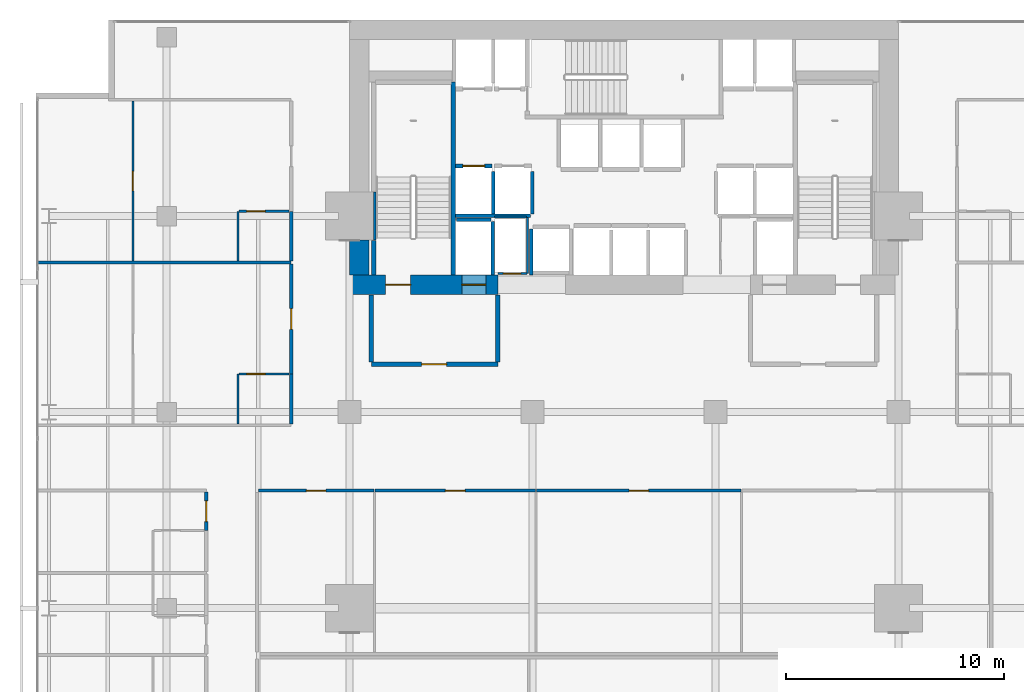
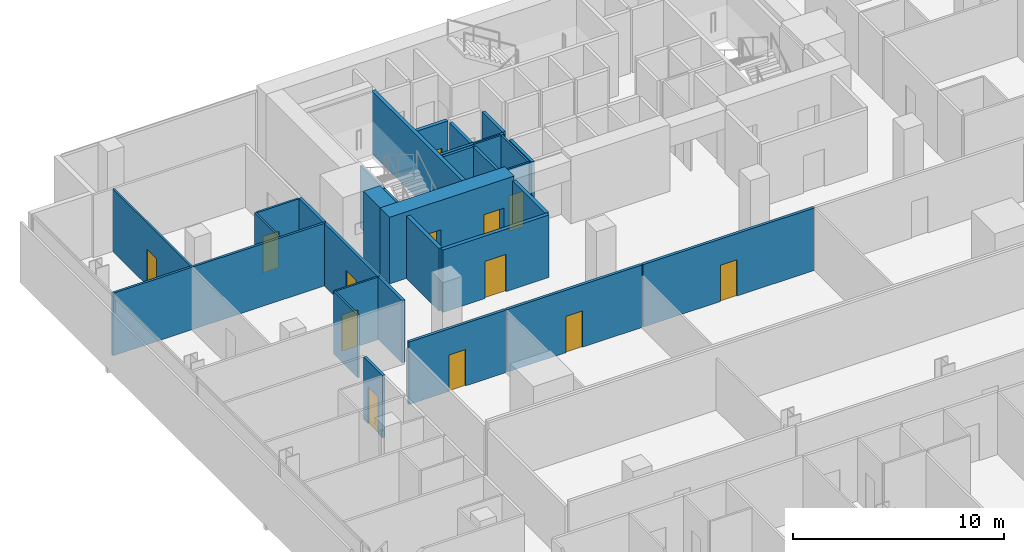
# One storey, part 35 of 40: 31 walls, 13 doors, 13 openings.
"""IFC4 building model written with IfcOpenShell, lengths in metres."""

from ifc_helpers import new_model, si_unit, direction, frame, frame_2d, origin, place, context, subcontext, project, spatial, rectangle, extrude, material, layer, layer_set, type_object, element, fill, save


model = new_model("IFC4")

# Units and contexts
model_context = context("Model", 3, precision=1e-05, world=origin(), true_north=direction((0.0, 1.0)))
body_context = subcontext(model_context, "Body", "Model", "MODEL_VIEW")
ifc_project = project(units=[si_unit("LENGTHUNIT", "METRE"), si_unit("AREAUNIT", "SQUARE_METRE"), si_unit("VOLUMEUNIT", "CUBIC_METRE"), si_unit("PLANEANGLEUNIT", "RADIAN"), si_unit("MASSUNIT", "GRAM", prefix="KILO")], contexts=[model_context])

# Site, building, storey
site_placement = place(None, origin())
site = spatial("IfcSite", under=ifc_project, at=site_placement, CompositionType="ELEMENT")
building_placement = place(site_placement, origin())
building = spatial("IfcBuilding", under=site, at=building_placement, Name="Maruvema Waterfront Hotel and Observation Tower", CompositionType="ELEMENT")
storey_placement = place(building_placement, frame((0.0, 0.0, 103.949951171875)))
storey = spatial("IfcBuildingStorey", under=building, at=storey_placement, Name="L25", CompositionType="ELEMENT", Elevation=103.949951171875)

# Wall, opening, door
ifc_material_1 = material(Name="Twin-stud acoustic gypsum drywall", Category="gypsum")
ifc_layer_1 = layer(ifc_material_1, 0.14990234375, Name="Acoustic Corridor and Suite Demising Wall 150 mm")
ifc_layer_set_1 = layer_set([ifc_layer_1], Name="Twin-stud acoustic gypsum drywall")
wall_type_1 = type_object("IfcWallType", Name="Acoustic Corridor and Suite Demising Wall 150 mm", PredefinedType="PARTITIONING", material=ifc_layer_set_1)
wall_1_placement = place(storey_placement, frame((21.010009765625, 32.39990234375, 0.0), z_axis=(0.0, 0.0, 1.0), x_axis=(1.0, 0.0, 0.0)))
wall_1 = element("IfcWall", 1, at=wall_1_placement, inside=storey, type_object=wall_type_1, Name="L25 L25-INTN Front 1 015", PredefinedType="PARTITIONING", context=body_context, shape_type="SweptSolid", body=[
    extrude(rectangle(XDim=5.302001953125, YDim=0.14990234375, at=frame_2d((2.65087890625, 0.0))), origin(), (0.0, 0.0, 1.0), 3.610107421875),
])
opening_1_placement = place(wall_1_placement, frame((2.200927734375, 0.0, 0.0)))
opening_1 = element("IfcOpeningElement", 2, at=opening_1_placement, cuts=wall_1, Name="Opening DR-090", PredefinedType="OPENING", context=body_context, shape_type="SweptSolid", body=[
    extrude(rectangle(XDim=0.89990234375, YDim=2.10009765625, at=frame_2d((0.449951171875, 1.050048828125))), frame((0.0, 0.0849609375, 0.0), z_axis=(0.0, -1.0, 0.0), x_axis=(1.0, 0.0, 0.0)), (0.0, 0.0, 1.0), 0.169921875),
])
ifc_material_2 = material(Name="Solid-core lacquered timber leaf", Category="wood")
door_type_1 = type_object("IfcDoorType", Name="Accessible Toilet and Room Door 900x2100 mm", OperationType="NOTDEFINED", PredefinedType="DOOR", material=ifc_material_2)
door_1_placement = place(opening_1_placement, origin())
door_1 = element("IfcDoor", 3, at=door_1_placement, inside=storey, type_object=door_type_1, Name="L25 Boardroom Salon Door", OperationType="SINGLE_SWING_RIGHT", OverallHeight=2.10009765625, OverallWidth=0.89990234375, PredefinedType="DOOR", context=body_context, shape_type="SweptSolid", body=[
    extrude(rectangle(XDim=0.89990234375, YDim=2.10009765625, at=frame_2d((0.449951171875, 1.050048828125))), frame((0.0, 0.02490234375, 0.0), z_axis=(0.0, -1.0, 0.0), x_axis=(1.0, 0.0, 0.0)), (0.0, 0.0, 1.0), 0.050048828125),
])
fill(opening_1, door_1)

wall_2_placement = place(storey_placement, frame((26.3720703125, 32.39990234375, 0.0), z_axis=(0.0, 0.0, 1.0), x_axis=(1.0, 0.0, 0.0)))
wall_2 = element("IfcWall", 4, at=wall_2_placement, inside=storey, type_object=wall_type_1, Name="L25 L25-INTN Front 2 017", PredefinedType="PARTITIONING", context=body_context, shape_type="SweptSolid", body=[
    extrude(rectangle(XDim=7.35400390625, YDim=0.14990234375, at=frame_2d((3.677001953125, 0.0))), origin(), (0.0, 0.0, 1.0), 3.610107421875),
])
opening_2_placement = place(wall_2_placement, frame((3.22705078125, 0.0, 0.0)))
opening_2 = element("IfcOpeningElement", 5, at=opening_2_placement, cuts=wall_2, Name="Opening DR-090", PredefinedType="OPENING", context=body_context, shape_type="SweptSolid", body=[
    extrude(rectangle(XDim=0.89990234375, YDim=2.10009765625, at=frame_2d((0.449951171875, 1.050048828125))), frame((0.0, 0.0849609375, 0.0), z_axis=(0.0, -1.0, 0.0), x_axis=(1.0, 0.0, 0.0)), (0.0, 0.0, 1.0), 0.169921875),
])
door_2_placement = place(opening_2_placement, origin())
door_2 = element("IfcDoor", 6, at=door_2_placement, inside=storey, type_object=door_type_1, Name="L25 Chef Pantry Kitchen 1 Door", OperationType="SINGLE_SWING_LEFT", OverallHeight=2.10009765625, OverallWidth=0.89990234375, PredefinedType="DOOR", context=body_context, shape_type="SweptSolid", body=[
    extrude(rectangle(XDim=0.89990234375, YDim=2.10009765625, at=frame_2d((0.449951171875, 1.050048828125))), frame((0.0, 0.02490234375, 0.0), z_axis=(0.0, -1.0, 0.0), x_axis=(1.0, 0.0, 0.0)), (0.0, 0.0, 1.0), 0.050048828125),
])
fill(opening_2, door_2)

wall_3_placement = place(storey_placement, frame((33.785888671875, 32.39990234375, 0.0), z_axis=(0.0, 0.0, 1.0), x_axis=(1.0, 0.0, 0.0)))
wall_3 = element("IfcWall", 7, at=wall_3_placement, inside=storey, type_object=wall_type_1, Name="L25 L25-INTN Front 3 019", PredefinedType="PARTITIONING", context=body_context, shape_type="SweptSolid", body=[
    extrude(rectangle(XDim=9.376220703125, YDim=0.14990234375, at=frame_2d((4.68798828125, 0.0))), origin(), (0.0, 0.0, 1.0), 3.610107421875),
])
opening_3_placement = place(wall_3_placement, frame((4.238037109375, 0.0, 0.0)))
opening_3 = element("IfcOpeningElement", 8, at=opening_3_placement, cuts=wall_3, Name="Opening DR-090", PredefinedType="OPENING", context=body_context, shape_type="SweptSolid", body=[
    extrude(rectangle(XDim=0.89990234375, YDim=2.10009765625, at=frame_2d((0.449951171875, 1.050048828125))), frame((0.0, 0.0849609375, 0.0), z_axis=(0.0, -1.0, 0.0), x_axis=(1.0, 0.0, 0.0)), (0.0, 0.0, 1.0), 0.169921875),
])
door_3_placement = place(opening_3_placement, origin())
door_3 = element("IfcDoor", 9, at=door_3_placement, inside=storey, type_object=door_type_1, Name="L25 Chef Pantry Kitchen 2 Door", OperationType="SINGLE_SWING_RIGHT", OverallHeight=2.10009765625, OverallWidth=0.89990234375, PredefinedType="DOOR", context=body_context, shape_type="SweptSolid", body=[
    extrude(rectangle(XDim=0.89990234375, YDim=2.10009765625, at=frame_2d((0.449951171875, 1.050048828125))), frame((0.0, 0.02490234375, 0.0), z_axis=(0.0, -1.0, 0.0), x_axis=(1.0, 0.0, 0.0)), (0.0, 0.0, 1.0), 0.050048828125),
])
fill(opening_3, door_3)

wall_4_placement = place(storey_placement, frame((18.6201171875, 30.570068359375, 0.0), z_axis=(0.0, 0.0, 1.0), x_axis=(0.0, 1.0, 0.0)))
wall_4 = element("IfcWall", 10, at=wall_4_placement, inside=storey, type_object=wall_type_1, Name="L25 Room L25-W4 Corridor Wall 092", PredefinedType="PARTITIONING", context=body_context, shape_type="SweptSolid", body=[
    extrude(rectangle(XDim=1.77001953125, YDim=0.14990234375, at=frame_2d((0.885009765625, 0.0))), origin(), (0.0, 0.0, 1.0), 3.610107421875),
])
opening_4_placement = place(wall_4_placement, frame((0.409912109375, 0.0, 0.0)))
opening_4 = element("IfcOpeningElement", 11, at=opening_4_placement, cuts=wall_4, Name="Opening DR-095", PredefinedType="OPENING", context=body_context, shape_type="SweptSolid", body=[
    extrude(rectangle(XDim=0.949951171875, YDim=2.14990234375, at=frame_2d((0.47509765625, 1.074951171875))), frame((0.0, 0.0849609375, 0.0), z_axis=(0.0, -1.0, 0.0), x_axis=(1.0, 0.0, 0.0)), (0.0, 0.0, 1.0), 0.169921875),
])
ifc_material_3 = material(Name="Acoustic solid-core hardwood timber leaf", Category="wood")
door_type_2 = type_object("IfcDoorType", Name="Guestroom Entrance Fire Door 950x2150 mm", OperationType="NOTDEFINED", PredefinedType="DOOR", material=ifc_material_3)
door_4_placement = place(opening_4_placement, origin())
door_4 = element("IfcDoor", 12, at=door_4_placement, inside=storey, type_object=door_type_2, Name="L25 Room L25-W4 Entrance Door", OperationType="SINGLE_SWING_LEFT", OverallHeight=2.14990234375, OverallWidth=0.949951171875, PredefinedType="DOOR", context=body_context, shape_type="SweptSolid", body=[
    extrude(rectangle(XDim=0.949951171875, YDim=2.14990234375, at=frame_2d((0.47509765625, 1.074951171875))), frame((0.0, 0.02490234375, 0.0), z_axis=(0.0, -1.0, 0.0), x_axis=(1.0, 0.0, 0.0)), (0.0, 0.0, 1.0), 0.050048828125),
])
fill(opening_4, door_4)

# Wall
wall_5_placement = place(storey_placement, frame((22.52001953125, 35.4599609375, 0.0), z_axis=(0.0, 0.0, 1.0), x_axis=(0.0, 1.0, 0.0)))
element("IfcWall", 13, at=wall_5_placement, inside=storey, type_object=wall_type_1, Name="L25 Bath L25-NW1 Wall 103", PredefinedType="PARTITIONING", context=body_context, shape_type="SweptSolid", body=[
    extrude(rectangle(XDim=2.2900390625, YDim=0.14990234375, at=frame_2d((1.14501953125, 0.0))), origin(), (0.0, 0.0, 1.0), 3.610107421875),
])

# Wall, opening, door
wall_6_placement = place(storey_placement, frame((22.52001953125, 37.75, 0.0), z_axis=(0.0, 0.0, 1.0), x_axis=(0.0, 1.0, 0.0)))
wall_6 = element("IfcWall", 14, at=wall_6_placement, inside=storey, type_object=wall_type_1, Name="L25 Room L25-NW1 Corridor Wall 104", PredefinedType="PARTITIONING", context=body_context, shape_type="SweptSolid", body=[
    extrude(rectangle(XDim=5.05859375, YDim=0.14990234375, at=frame_2d((2.529296875, 0.0))), origin(), (0.0, 0.0, 1.0), 3.610107421875),
])
opening_5_placement = place(wall_6_placement, frame((2.054443359375, 0.0, 0.0)))
opening_5 = element("IfcOpeningElement", 15, at=opening_5_placement, cuts=wall_6, Name="Opening DR-095", PredefinedType="OPENING", context=body_context, shape_type="SweptSolid", body=[
    extrude(rectangle(XDim=0.949951171875, YDim=2.14990234375, at=frame_2d((0.47509765625, 1.074951171875))), frame((0.0, 0.0849609375, 0.0), z_axis=(0.0, -1.0, 0.0), x_axis=(1.0, 0.0, 0.0)), (0.0, 0.0, 1.0), 0.169921875),
])
door_5_placement = place(opening_5_placement, origin())
door_5 = element("IfcDoor", 16, at=door_5_placement, inside=storey, type_object=door_type_2, Name="L25 Room L25-NW1 Entrance Door", OperationType="SINGLE_SWING_LEFT", OverallHeight=2.14990234375, OverallWidth=0.949951171875, PredefinedType="DOOR", context=body_context, shape_type="SweptSolid", body=[
    extrude(rectangle(XDim=0.949951171875, YDim=2.14990234375, at=frame_2d((0.47509765625, 1.074951171875))), frame((0.0, 0.02490234375, 0.0), z_axis=(0.0, -1.0, 0.0), x_axis=(1.0, 0.0, 0.0)), (0.0, 0.0, 1.0), 0.050048828125),
])
fill(opening_5, door_5)

# Walls
wall_7_placement = place(storey_placement, frame((22.52001953125, 42.9287109375, 0.0), z_axis=(0.0, 0.0, 1.0), x_axis=(0.0, 1.0, 0.0)))
element("IfcWall", 17, at=wall_7_placement, inside=storey, type_object=wall_type_1, Name="L25 Bath L25-NW2 Wall 115", PredefinedType="PARTITIONING", context=body_context, shape_type="SweptSolid", body=[
    extrude(rectangle(XDim=2.2900390625, YDim=0.14990234375, at=frame_2d((1.14501953125, 0.0))), origin(), (0.0, 0.0, 1.0), 3.610107421875),
])
ifc_material_4 = material(Name="Precast concrete C45/55", Category="concrete")
ifc_layer_2 = layer(ifc_material_4, 0.199951171875, Name="Core Shaft and Stairwell Enclosure Wall 200 mm")
ifc_layer_set_2 = layer_set([ifc_layer_2], Name="Precast concrete C45/55")
wall_type_2 = type_object("IfcWallType", Name="Core Shaft and Stairwell Enclosure Wall 200 mm", PredefinedType="SOLIDWALL", material=ifc_layer_set_2)
wall_8_placement = place(storey_placement, frame((29.949951171875, 42.300048828125, 0.0), z_axis=(0.0, 0.0, 1.0), x_axis=(0.0, 1.0, 0.0)))
element("IfcWall", 18, at=wall_8_placement, inside=storey, type_object=wall_type_2, Name="L25 Stairwell ST-01 East Shaft Wall", PredefinedType="SOLIDWALL", context=body_context, shape_type="SweptSolid", body=[
    extrude(rectangle(XDim=8.849853515625, YDim=0.199951171875, at=frame_2d((4.4248046875, 0.0))), origin(), (0.0, 0.0, 1.0), 3.610107421875),
])
wall_9_placement = place(storey_placement, frame((26.300048828125, 42.300048828125, 0.0), z_axis=(0.0, 0.0, 1.0), x_axis=(0.0, 1.0, 0.0)))
element("IfcWall", 19, at=wall_9_placement, inside=storey, type_object=wall_type_2, Name="L25 Stairwell ST-01 Shaft Lining Wall", PredefinedType="SOLIDWALL", context=body_context, shape_type="SweptSolid", body=[
    extrude(rectangle(XDim=1.579833984375, YDim=0.199951171875, at=frame_2d((0.7900390625, 0.0))), origin(), (0.0, 0.0, 1.0), 3.610107421875),
])

# Wall, opening, door
wall_10_placement = place(storey_placement, frame((30.06005859375, 47.300048828125, 0.0), z_axis=(0.0, 0.0, 1.0), x_axis=(1.0, 0.0, 0.0)))
wall_10 = element("IfcWall", 20, at=wall_10_placement, inside=storey, type_object=wall_type_2, Name="L25 Lift LF-01 Hoistway Front Wall", PredefinedType="SOLIDWALL", context=body_context, shape_type="SweptSolid", body=[
    extrude(rectangle(XDim=1.679931640625, YDim=0.199951171875, at=frame_2d((0.83984375, 0.0))), origin(), (0.0, 0.0, 1.0), 3.610107421875),
])
opening_6_placement = place(wall_10_placement, frame((0.340087890625, 0.0, 0.0)))
opening_6 = element("IfcOpeningElement", 21, at=opening_6_placement, cuts=wall_10, Name="Opening LD-01", PredefinedType="OPENING", context=body_context, shape_type="SweptSolid", body=[
    extrude(rectangle(XDim=1.0, YDim=2.14990234375, at=frame_2d((0.5, 1.074951171875))), frame((0.0, 0.10986328125, 0.0), z_axis=(0.0, -1.0, 0.0), x_axis=(1.0, 0.0, 0.0)), (0.0, 0.0, 1.0), 0.219970703125),
])
ifc_material_5 = material(Name="Brushed stainless steel Grade 316", Category="steel")
door_type_3 = type_object("IfcDoorType", Name="Passenger Lift Sliding Landing Door 1000x2150 mm", OperationType="SLIDING_TO_LEFT", PredefinedType="DOOR", material=ifc_material_5)
door_6_placement = place(opening_6_placement, origin())
door_6 = element("IfcDoor", 22, at=door_6_placement, inside=storey, type_object=door_type_3, Name="L25 Lift LF-01 Sliding Landing Door", OperationType="SLIDING_TO_LEFT", OverallHeight=2.14990234375, OverallWidth=1.0, PredefinedType="DOOR", context=body_context, shape_type="SweptSolid", body=[
    extrude(rectangle(XDim=1.0, YDim=2.14990234375, at=frame_2d((0.5, 1.074951171875))), frame((0.0, 0.02490234375, 0.0), z_axis=(0.0, -1.0, 0.0), x_axis=(1.0, 0.0, 0.0)), (0.0, 0.0, 1.0), 0.050048828125),
])
fill(opening_6, door_6)

# Wall, openings, doors
ifc_material_6 = material(Name="Concrete C80/95", Category="concrete")
ifc_layer_3 = layer(ifc_material_6, 0.89990234375, Name="Core Shear Wall 900 mm")
ifc_layer_set_3 = layer_set([ifc_layer_3], Name="Concrete C80/95")
wall_type_3 = type_object("IfcWallType", Name="Core Shear Wall 900 mm", PredefinedType="SHEAR", material=ifc_layer_set_3)
wall_11_placement = place(storey_placement, frame((25.199951171875, 41.85009765625, 0.0), z_axis=(0.0, 0.0, 1.0), x_axis=(1.0, 0.0, 0.0)))
wall_11 = element("IfcWall", 23, at=wall_11_placement, inside=storey, type_object=wall_type_3, Name="L25 South-West Core Shear Wall", PredefinedType="SHEAR", context=body_context, shape_type="SweptSolid", body=[
    extrude(rectangle(XDim=6.800048828125, YDim=0.89990234375, at=frame_2d((3.39990234375, 0.0))), origin(), (0.0, 0.0, 1.0), 3.85009765625),
])
opening_7_placement = place(wall_11_placement, frame((1.64990234375, 0.0, 0.0)))
opening_7 = element("IfcOpeningElement", 24, at=opening_7_placement, cuts=wall_11, Name="Opening SD-01", PredefinedType="OPENING", context=body_context, shape_type="SweptSolid", body=[
    extrude(rectangle(XDim=1.14990234375, YDim=2.14990234375, at=frame_2d((0.574951171875, 1.074951171875))), frame((0.0, 0.4599609375, 0.0), z_axis=(0.0, -1.0, 0.0), x_axis=(1.0, 0.0, 0.0)), (0.0, 0.0, 1.0), 0.919921875),
])
opening_8_placement = place(wall_11_placement, frame((5.14990234375, 0.0, 0.0)))
opening_8 = element("IfcOpeningElement", 25, at=opening_8_placement, cuts=wall_11, Name="Opening LD-03", PredefinedType="OPENING", context=body_context, shape_type="SweptSolid", body=[
    extrude(rectangle(XDim=1.10009765625, YDim=2.199951171875, at=frame_2d((0.550048828125, 1.10009765625))), frame((0.0, 0.4599609375, 0.0), z_axis=(0.0, -1.0, 0.0), x_axis=(1.0, 0.0, 0.0)), (0.0, 0.0, 1.0), 0.919921875),
])
ifc_material_7 = material(Name="Fire-rated galvanised steel leaf", Category="steel")
door_type_4 = type_object("IfcDoorType", Name="Exit Stair Fire Door 1150x2150 mm", OperationType="NOTDEFINED", PredefinedType="DOOR", material=ifc_material_7)
door_7_placement = place(opening_7_placement, origin())
door_7 = element("IfcDoor", 26, at=door_7_placement, inside=storey, type_object=door_type_4, Name="L25 Exit Stair ST-01 Fire Door", OperationType="SINGLE_SWING_LEFT", OverallHeight=2.14990234375, OverallWidth=1.14990234375, PredefinedType="DOOR", context=body_context, shape_type="SweptSolid", body=[
    extrude(rectangle(XDim=1.14990234375, YDim=2.14990234375, at=frame_2d((0.574951171875, 1.074951171875))), frame((0.0, 0.02490234375, 0.0), z_axis=(0.0, -1.0, 0.0), x_axis=(1.0, 0.0, 0.0)), (0.0, 0.0, 1.0), 0.050048828125),
])
fill(opening_7, door_7)
ifc_material_8 = material(Name="Brushed stainless steel Grade 316", Category="steel")
door_type_5 = type_object("IfcDoorType", Name="Firefighting Lift Sliding Landing Door 1100x2200 mm", OperationType="SLIDING_TO_LEFT", PredefinedType="DOOR", material=ifc_material_8)
door_8_placement = place(opening_8_placement, frame((1.10009765625, 0.0, 0.0), z_axis=(0.0, 0.0, 1.0), x_axis=(-1.0, 0.0, 0.0)))
door_8 = element("IfcDoor", 27, at=door_8_placement, inside=storey, type_object=door_type_5, Name="L25 Firefighting Lift FL-01 Landing Door", OperationType="SLIDING_TO_LEFT", OverallHeight=2.199951171875, OverallWidth=1.10009765625, PredefinedType="DOOR", context=body_context, shape_type="SweptSolid", body=[
    extrude(rectangle(XDim=1.10009765625, YDim=2.199951171875, at=frame_2d((0.550048828125, 1.10009765625))), frame((0.0, 0.02490234375, 0.0), z_axis=(0.0, -1.0, 0.0), x_axis=(1.0, 0.0, 0.0)), (0.0, 0.0, 1.0), 0.050048828125),
])
fill(opening_8, door_8)

# Wall
wall_12_placement = place(storey_placement, frame((25.64990234375, 42.300048828125, 0.0), z_axis=(0.0, 0.0, 1.0), x_axis=(0.0, 1.0, 0.0)))
element("IfcWall", 28, at=wall_12_placement, inside=storey, type_object=wall_type_3, Name="L25 West-South Core Shear Wall", PredefinedType="SHEAR", context=body_context, shape_type="SweptSolid", body=[
    extrude(rectangle(XDim=1.599853515625, YDim=0.89990234375, at=frame_2d((0.7998046875, 0.0))), origin(), (0.0, 0.0, 1.0), 3.85009765625),
])

# Wall, opening, door
ifc_material_9 = material(Name="Moisture-resistant cement-board drywall", Category="gypsum")
ifc_layer_4 = layer(ifc_material_9, 0.10009765625, Name="En-Suite Moisture-Resistant Partition 100 mm")
ifc_layer_set_4 = layer_set([ifc_layer_4], Name="Moisture-resistant cement-board drywall")
wall_type_4 = type_object("IfcWallType", Name="En-Suite Moisture-Resistant Partition 100 mm", PredefinedType="PARTITIONING", material=ifc_layer_set_4)
wall_13_placement = place(storey_placement, frame((32.02001953125, 42.360107421875, 0.0), z_axis=(0.0, 0.0, 1.0), x_axis=(1.0, 0.0, 0.0)))
wall_13 = element("IfcWall", 29, at=wall_13_placement, inside=storey, type_object=wall_type_4, Name="L25 Telecom Riser South Wall 007", PredefinedType="PARTITIONING", context=body_context, shape_type="SweptSolid", body=[
    extrude(rectangle(XDim=1.320068359375, YDim=0.10009765625, at=frame_2d((0.66015625, 0.0))), origin(), (0.0, 0.0, 1.0), 3.610107421875),
])
opening_9_placement = place(wall_13_placement, frame((0.239990234375, 0.0, 0.0)))
opening_9 = element("IfcOpeningElement", 30, at=opening_9_placement, cuts=wall_13, Name="Opening DR-080", PredefinedType="OPENING", context=body_context, shape_type="SweptSolid", body=[
    extrude(rectangle(XDim=0.800048828125, YDim=2.050048828125, at=frame_2d((0.39990234375, 1.02490234375))), frame((0.0, 0.06005859375, 0.0), z_axis=(0.0, -1.0, 0.0), x_axis=(1.0, 0.0, 0.0)), (0.0, 0.0, 1.0), 0.1201171875),
])
ifc_material_10 = material(Name="Powder-coated steel access leaf", Category="steel")
door_type_6 = type_object("IfcDoorType", Name="Riser and Service Cupboard Door 800x2050 mm", OperationType="NOTDEFINED", PredefinedType="DOOR", material=ifc_material_10)
door_9_placement = place(opening_9_placement, frame((0.800048828125, 0.0, 0.0), z_axis=(0.0, 0.0, 1.0), x_axis=(-1.0, 0.0, 0.0)))
door_9 = element("IfcDoor", 31, at=door_9_placement, inside=storey, type_object=door_type_6, Name="L25 Telecom Riser Door", OperationType="SINGLE_SWING_RIGHT", OverallHeight=2.050048828125, OverallWidth=0.800048828125, PredefinedType="DOOR", context=body_context, shape_type="SweptSolid", body=[
    extrude(rectangle(XDim=0.800048828125, YDim=2.050048828125, at=frame_2d((0.39990234375, 1.02490234375))), frame((0.0, 0.02490234375, 0.0), z_axis=(0.0, -1.0, 0.0), x_axis=(1.0, 0.0, 0.0)), (0.0, 0.0, 1.0), 0.050048828125),
])
fill(opening_9, door_9)

# Walls
wall_14_placement = place(storey_placement, frame((31.840087890625, 44.9599609375, 0.0), z_axis=(0.0, 0.0, 1.0), x_axis=(1.0, 0.0, 0.0)))
element("IfcWall", 32, at=wall_14_placement, inside=storey, type_object=wall_type_4, Name="L25 Telecom Riser North Wall 008", PredefinedType="PARTITIONING", context=body_context, shape_type="SweptSolid", body=[
    extrude(rectangle(XDim=1.47998046875, YDim=0.10009765625, at=frame_2d((0.739990234375, 0.0))), origin(), (0.0, 0.0, 1.0), 3.610107421875),
])
wall_15_placement = place(storey_placement, frame((33.360107421875, 42.360107421875, 0.0), z_axis=(0.0, 0.0, 1.0), x_axis=(0.0, 1.0, 0.0)))
element("IfcWall", 33, at=wall_15_placement, inside=storey, type_object=wall_type_4, Name="L25 Telecom Riser East Wall 009", PredefinedType="PARTITIONING", context=body_context, shape_type="SweptSolid", body=[
    extrude(rectangle(XDim=2.579833984375, YDim=0.10009765625, at=frame_2d((1.2900390625, 0.0))), origin(), (0.0, 0.0, 1.0), 3.610107421875),
])
wall_16_placement = place(storey_placement, frame((20.070068359375, 35.4599609375, 0.0), z_axis=(0.0, 0.0, 1.0), x_axis=(0.0, 1.0, 0.0)))
element("IfcWall", 34, at=wall_16_placement, inside=storey, type_object=wall_type_4, Name="L25 En-Suite L25-NW1 W 105", PredefinedType="PARTITIONING", context=body_context, shape_type="SweptSolid", body=[
    extrude(rectangle(XDim=2.2900390625, YDim=0.10009765625, at=frame_2d((1.14501953125, 0.0))), origin(), (0.0, 0.0, 1.0), 3.610107421875),
])

# Wall, opening, door
wall_17_placement = place(storey_placement, frame((20.1201171875, 37.75, 0.0), z_axis=(0.0, 0.0, 1.0), x_axis=(1.0, 0.0, 0.0)))
wall_17 = element("IfcWall", 35, at=wall_17_placement, inside=storey, type_object=wall_type_4, Name="L25 En-Suite L25-NW1 N 106", PredefinedType="PARTITIONING", context=body_context, shape_type="SweptSolid", body=[
    extrude(rectangle(XDim=2.2998046875, YDim=0.10009765625, at=frame_2d((1.14990234375, 0.0))), origin(), (0.0, 0.0, 1.0), 3.610107421875),
])
opening_10_placement = place(wall_17_placement, frame((0.35009765625, 0.0, 0.0)))
opening_10 = element("IfcOpeningElement", 36, at=opening_10_placement, cuts=wall_17, Name="Opening DR-085", PredefinedType="OPENING", context=body_context, shape_type="SweptSolid", body=[
    extrude(rectangle(XDim=0.85009765625, YDim=2.10009765625, at=frame_2d((0.425048828125, 1.050048828125))), frame((0.0, 0.06005859375, 0.0), z_axis=(0.0, -1.0, 0.0), x_axis=(1.0, 0.0, 0.0)), (0.0, 0.0, 1.0), 0.1201171875),
])
ifc_material_11 = material(Name="Moisture-resistant solid timber leaf", Category="wood")
door_type_7 = type_object("IfcDoorType", Name="En-Suite Bathroom Door 850x2100 mm", OperationType="NOTDEFINED", PredefinedType="DOOR", material=ifc_material_11)
door_10_placement = place(opening_10_placement, origin())
door_10 = element("IfcDoor", 37, at=door_10_placement, inside=storey, type_object=door_type_7, Name="L25 En-Suite L25-NW1 Door", OperationType="SINGLE_SWING_RIGHT", OverallHeight=2.10009765625, OverallWidth=0.85009765625, PredefinedType="DOOR", context=body_context, shape_type="SweptSolid", body=[
    extrude(rectangle(XDim=0.85009765625, YDim=2.10009765625, at=frame_2d((0.425048828125, 1.050048828125))), frame((0.0, 0.02490234375, 0.0), z_axis=(0.0, -1.0, 0.0), x_axis=(1.0, 0.0, 0.0)), (0.0, 0.0, 1.0), 0.050048828125),
])
fill(opening_10, door_10)

# Wall
wall_18_placement = place(storey_placement, frame((20.070068359375, 42.9287109375, 0.0), z_axis=(0.0, 0.0, 1.0), x_axis=(0.0, 1.0, 0.0)))
element("IfcWall", 38, at=wall_18_placement, inside=storey, type_object=wall_type_4, Name="L25 En-Suite L25-NW2 W 117", PredefinedType="PARTITIONING", context=body_context, shape_type="SweptSolid", body=[
    extrude(rectangle(XDim=2.2900390625, YDim=0.10009765625, at=frame_2d((1.14501953125, 0.0))), origin(), (0.0, 0.0, 1.0), 3.610107421875),
])

# Wall, opening, door
wall_19_placement = place(storey_placement, frame((20.1201171875, 45.21875, 0.0), z_axis=(0.0, 0.0, 1.0), x_axis=(1.0, 0.0, 0.0)))
wall_19 = element("IfcWall", 39, at=wall_19_placement, inside=storey, type_object=wall_type_4, Name="L25 En-Suite L25-NW2 N 118", PredefinedType="PARTITIONING", context=body_context, shape_type="SweptSolid", body=[
    extrude(rectangle(XDim=2.2998046875, YDim=0.10009765625, at=frame_2d((1.14990234375, 0.0))), origin(), (0.0, 0.0, 1.0), 3.610107421875),
])
opening_11_placement = place(wall_19_placement, frame((0.35009765625, 0.0, 0.0)))
opening_11 = element("IfcOpeningElement", 40, at=opening_11_placement, cuts=wall_19, Name="Opening DR-085", PredefinedType="OPENING", context=body_context, shape_type="SweptSolid", body=[
    extrude(rectangle(XDim=0.85009765625, YDim=2.10009765625, at=frame_2d((0.425048828125, 1.050048828125))), frame((0.0, 0.06005859375, 0.0), z_axis=(0.0, -1.0, 0.0), x_axis=(1.0, 0.0, 0.0)), (0.0, 0.0, 1.0), 0.1201171875),
])
door_11_placement = place(opening_11_placement, origin())
door_11 = element("IfcDoor", 41, at=door_11_placement, inside=storey, type_object=door_type_7, Name="L25 En-Suite L25-NW2 Door", OperationType="SINGLE_SWING_RIGHT", OverallHeight=2.10009765625, OverallWidth=0.85009765625, PredefinedType="DOOR", context=body_context, shape_type="SweptSolid", body=[
    extrude(rectangle(XDim=0.85009765625, YDim=2.10009765625, at=frame_2d((0.425048828125, 1.050048828125))), frame((0.0, 0.02490234375, 0.0), z_axis=(0.0, -1.0, 0.0), x_axis=(1.0, 0.0, 0.0)), (0.0, 0.0, 1.0), 0.050048828125),
])
fill(opening_11, door_11)

wall_20_placement = place(storey_placement, frame((15.24951171875, 42.9287109375, 0.0), z_axis=(0.0, 0.0, 1.0), x_axis=(0.0, 1.0, 0.0)))
wall_20 = element("IfcWall", 42, at=wall_20_placement, inside=storey, type_object=wall_type_4, Name="L25 Suite L25-NW2 Split 119", PredefinedType="PARTITIONING", context=body_context, shape_type="SweptSolid", body=[
    extrude(rectangle(XDim=7.348876953125, YDim=0.10009765625, at=frame_2d((3.67431640625, 0.0))), origin(), (0.0, 0.0, 1.0), 3.610107421875),
])
opening_12_placement = place(wall_20_placement, frame((3.224365234375, 0.0, 0.0)))
opening_12 = element("IfcOpeningElement", 43, at=opening_12_placement, cuts=wall_20, Name="Opening DR-090", PredefinedType="OPENING", context=body_context, shape_type="SweptSolid", body=[
    extrude(rectangle(XDim=0.89990234375, YDim=2.10009765625, at=frame_2d((0.449951171875, 1.050048828125))), frame((0.0, 0.06005859375, 0.0), z_axis=(0.0, -1.0, 0.0), x_axis=(1.0, 0.0, 0.0)), (0.0, 0.0, 1.0), 0.1201171875),
])
door_12_placement = place(opening_12_placement, origin())
door_12 = element("IfcDoor", 44, at=door_12_placement, inside=storey, type_object=door_type_1, Name="L25 Suite L25-NW2 Bedroom Door", OperationType="SINGLE_SWING_RIGHT", OverallHeight=2.10009765625, OverallWidth=0.89990234375, PredefinedType="DOOR", context=body_context, shape_type="SweptSolid", body=[
    extrude(rectangle(XDim=0.89990234375, YDim=2.10009765625, at=frame_2d((0.449951171875, 1.050048828125))), frame((0.0, 0.02490234375, 0.0), z_axis=(0.0, -1.0, 0.0), x_axis=(1.0, 0.0, 0.0)), (0.0, 0.0, 1.0), 0.050048828125),
])
fill(opening_12, door_12)

ifc_material_12 = material(Name="Autoclaved cellular concrete blockwork", Category="masonry")
ifc_layer_5 = layer(ifc_material_12, 0.199951171875, Name="Fire Compartment Masonry Wall 200 mm")
ifc_layer_set_5 = layer_set([ifc_layer_5], Name="Autoclaved cellular concrete blockwork")
wall_type_5 = type_object("IfcWallType", Name="Fire Compartment Masonry Wall 200 mm", PredefinedType="PARTITIONING", material=ifc_layer_set_5)
wall_21_placement = place(storey_placement, frame((26.199951171875, 38.199951171875, 0.0), z_axis=(0.0, 0.0, 1.0), x_axis=(1.0, 0.0, 0.0)))
wall_21 = element("IfcWall", 45, at=wall_21_placement, inside=storey, type_object=wall_type_5, Name="L25 FFL West South Wall 001", PredefinedType="PARTITIONING", context=body_context, shape_type="SweptSolid", body=[
    extrude(rectangle(XDim=5.800048828125, YDim=0.199951171875, at=frame_2d((2.89990234375, 0.0))), origin(), (0.0, 0.0, 1.0), 3.610107421875),
])
opening_13_placement = place(wall_21_placement, frame((2.300048828125, 0.0, 0.0)))
opening_13 = element("IfcOpeningElement", 46, at=opening_13_placement, cuts=wall_21, Name="Opening FD-115", PredefinedType="OPENING", context=body_context, shape_type="SweptSolid", body=[
    extrude(rectangle(XDim=1.14990234375, YDim=2.14990234375, at=frame_2d((0.574951171875, 1.074951171875))), frame((0.0, 0.10986328125, 0.0), z_axis=(0.0, -1.0, 0.0), x_axis=(1.0, 0.0, 0.0)), (0.0, 0.0, 1.0), 0.219970703125),
])
ifc_material_13 = material(Name="Fire-rated galvanised steel and vision glass", Category="steel")
door_type_8 = type_object("IfcDoorType", Name="Firefighting Lobby Fire Door 1150x2150 mm", OperationType="NOTDEFINED", PredefinedType="DOOR", material=ifc_material_13)
door_13_placement = place(opening_13_placement, frame((1.14990234375, 0.0, 0.0), z_axis=(0.0, 0.0, 1.0), x_axis=(-1.0, 0.0, 0.0)))
door_13 = element("IfcDoor", 47, at=door_13_placement, inside=storey, type_object=door_type_8, Name="L25 Firefighting Lobby West Door", OperationType="SINGLE_SWING_RIGHT", OverallHeight=2.14990234375, OverallWidth=1.14990234375, PredefinedType="DOOR", context=body_context, shape_type="SweptSolid", body=[
    extrude(rectangle(XDim=1.14990234375, YDim=2.14990234375, at=frame_2d((0.574951171875, 1.074951171875))), frame((0.0, 0.02490234375, 0.0), z_axis=(0.0, -1.0, 0.0), x_axis=(1.0, 0.0, 0.0)), (0.0, 0.0, 1.0), 0.050048828125),
])
fill(opening_13, door_13)

# Walls
for number, where, z_axis, x_axis, name in (
    (48, (26.199951171875, 38.31005859375, 0.0), (0.0, 0.0, 1.0), (0.0, 1.0, 0.0), "L25 FFL West West Wall 002"),
    (49, (32.0, 38.31005859375, 0.0), (0.0, 0.0, 1.0), (0.0, 1.0, 0.0), "L25 FFL West East Wall 003"),
):
    element("IfcWall", number, at=place(storey_placement, frame(where, z_axis=z_axis, x_axis=x_axis)), inside=storey, type_object=wall_type_5, Name=name, PredefinedType="PARTITIONING", context=body_context, shape_type="SweptSolid", body=[
        extrude(rectangle(XDim=3.06982421875, YDim=0.199951171875, at=frame_2d((1.534912109375, 0.0))), origin(), (0.0, 0.0, 1.0), 3.610107421875),
    ])
ifc_material_14 = material(Name="Acoustic gypsum plasterboard drywall", Category="gypsum")
ifc_layer_6 = layer(ifc_material_14, 0.125, Name="Guestroom Acoustic Demising Wall 125 mm")
ifc_layer_set_6 = layer_set([ifc_layer_6], Name="Acoustic gypsum plasterboard drywall")
wall_type_6 = type_object("IfcWallType", Name="Guestroom Acoustic Demising Wall 125 mm", PredefinedType="PARTITIONING", material=ifc_layer_set_6)
wall_22_placement = place(storey_placement, frame((10.89990234375, 42.86865234375, 0.0), z_axis=(0.0, 0.0, 1.0), x_axis=(1.0, 0.0, 0.0)))
element("IfcWall", 50, at=wall_22_placement, inside=storey, type_object=wall_type_6, Name="L25 NW Demising 2 113", PredefinedType="PARTITIONING", context=body_context, shape_type="SweptSolid", body=[
    extrude(rectangle(XDim=11.6201171875, YDim=0.125, at=frame_2d((5.81005859375, 0.0))), origin(), (0.0, 0.0, 1.0), 3.610107421875),
])
ifc_material_15 = material(Name="Precast concrete C45/55", Category="concrete")
ifc_layer_7 = layer(ifc_material_15, 0.159912109375, Name="Lift Hoistway Divider Wall 160 mm")
ifc_layer_set_7 = layer_set([ifc_layer_7], Name="Precast concrete C45/55")
wall_type_7 = type_object("IfcWallType", Name="Lift Hoistway Divider Wall 160 mm", PredefinedType="SOLIDWALL", material=ifc_layer_set_7)
wall_23_placement = place(storey_placement, frame((30.10009765625, 44.830078125, 0.0), z_axis=(0.0, 0.0, 1.0), x_axis=(1.0, 0.0, 0.0)))
element("IfcWall", 51, at=wall_23_placement, inside=storey, type_object=wall_type_7, Name="L25 Lift FL-01 Rear Hoistway Wall", PredefinedType="SOLIDWALL", context=body_context, shape_type="SweptSolid", body=[
    extrude(rectangle(XDim=1.599853515625, YDim=0.159912109375, at=frame_2d((0.7998046875, 0.0))), origin(), (0.0, 0.0, 1.0), 3.610107421875),
])
wall_24_placement = place(storey_placement, frame((31.780029296875, 42.300048828125, 0.0), z_axis=(0.0, 0.0, 1.0), x_axis=(0.0, 1.0, 0.0)))
element("IfcWall", 52, at=wall_24_placement, inside=storey, type_object=wall_type_7, Name="L25 Lift FL-01 Inner Hoistway Wall", PredefinedType="SOLIDWALL", context=body_context, shape_type="SweptSolid", body=[
    extrude(rectangle(XDim=2.43994140625, YDim=0.159912109375, at=frame_2d((1.219970703125, 0.0))), origin(), (0.0, 0.0, 1.0), 3.610107421875),
])
for number, where, z_axis, x_axis, name in (
    (53, (31.800048828125, 45.10009765625, 0.0), (0.0, 0.0, 1.0), (0.0, 1.0, 0.0), "L25 Hoistway Divider Wall"),
    (54, (33.580078125, 45.10009765625, 0.0), (0.0, 0.0, 1.0), (0.0, 1.0, 0.0), "L25 Hoistway Divider Wall"),
):
    element("IfcWall", number, at=place(storey_placement, frame(where, z_axis=z_axis, x_axis=x_axis)), inside=storey, type_object=wall_type_7, Name=name, PredefinedType="SOLIDWALL", context=body_context, shape_type="SweptSolid", body=[
        extrude(rectangle(XDim=1.949951171875, YDim=0.159912109375, at=frame_2d((0.97509765625, 0.0))), origin(), (0.0, 0.0, 1.0), 3.610107421875),
    ])
wall_25_placement = place(storey_placement, frame((30.050048828125, 45.010009765625, 0.0), z_axis=(0.0, 0.0, 1.0), x_axis=(1.0, 0.0, 0.0)))
element("IfcWall", 55, at=wall_25_placement, inside=storey, type_object=wall_type_7, Name="L25 Hoistway Divider Wall", PredefinedType="SOLIDWALL", context=body_context, shape_type="SweptSolid", body=[
    extrude(rectangle(XDim=3.449951171875, YDim=0.159912109375, at=frame_2d((1.72509765625, 0.0))), origin(), (0.0, 0.0, 1.0), 3.610107421875),
])
wall_26_placement = place(storey_placement, frame((33.5400390625, 42.300048828125, 0.0), z_axis=(0.0, 0.0, 1.0), x_axis=(0.0, 1.0, 0.0)))
element("IfcWall", 56, at=wall_26_placement, inside=storey, type_object=wall_type_7, Name="L25 Hoistway Divider Wall", PredefinedType="SOLIDWALL", context=body_context, shape_type="SweptSolid", body=[
    extrude(rectangle(XDim=2.099853515625, YDim=0.159912109375, at=frame_2d((1.0498046875, 0.0))), origin(), (0.0, 0.0, 1.0), 3.610107421875),
])
ifc_material_16 = material(Name="Precast concrete C45/55", Category="concrete")
ifc_layer_8 = layer(ifc_material_16, 0.10009765625, Name="Stairwell Stringer Cheek Wall 100 mm")
ifc_layer_set_8 = layer_set([ifc_layer_8], Name="Precast concrete C45/55")
wall_type_8 = type_object("IfcWallType", Name="Stairwell Stringer Cheek Wall 100 mm", PredefinedType="SOLIDWALL", material=ifc_layer_set_8)
wall_27_placement = place(storey_placement, frame((26.35205078125, 43.89990234375, 0.0), z_axis=(0.0, 0.0, 1.0), x_axis=(0.0, 1.0, 0.0)))
element("IfcWall", 57, at=wall_27_placement, inside=storey, type_object=wall_type_8, Name="L25 Stairwell ST-01 Mega-Column Cheek Wall", PredefinedType="SOLIDWALL", context=body_context, shape_type="SweptSolid", body=[
    extrude(rectangle(XDim=2.2001953125, YDim=0.10009765625, at=frame_2d((1.10009765625, 0.0))), origin(), (0.0, 0.0, 1.0), 3.610107421875),
])

save(model, "model.ifc")
